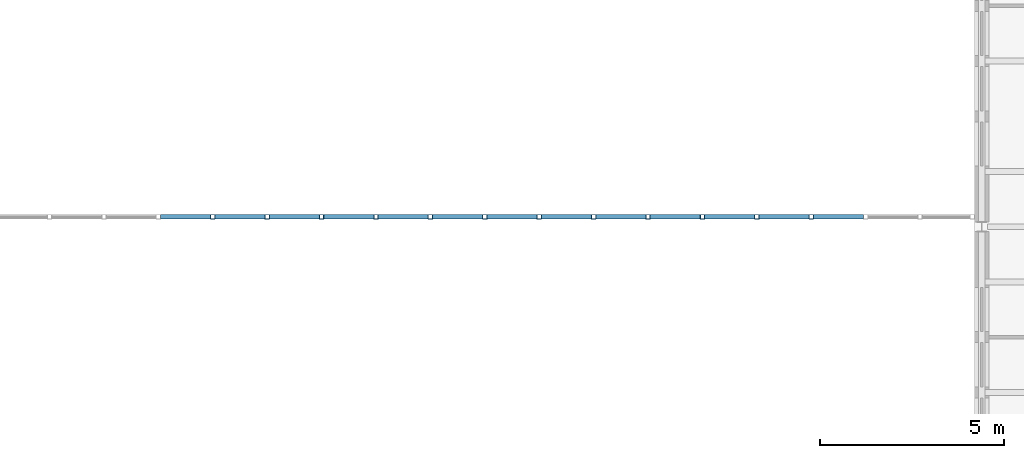
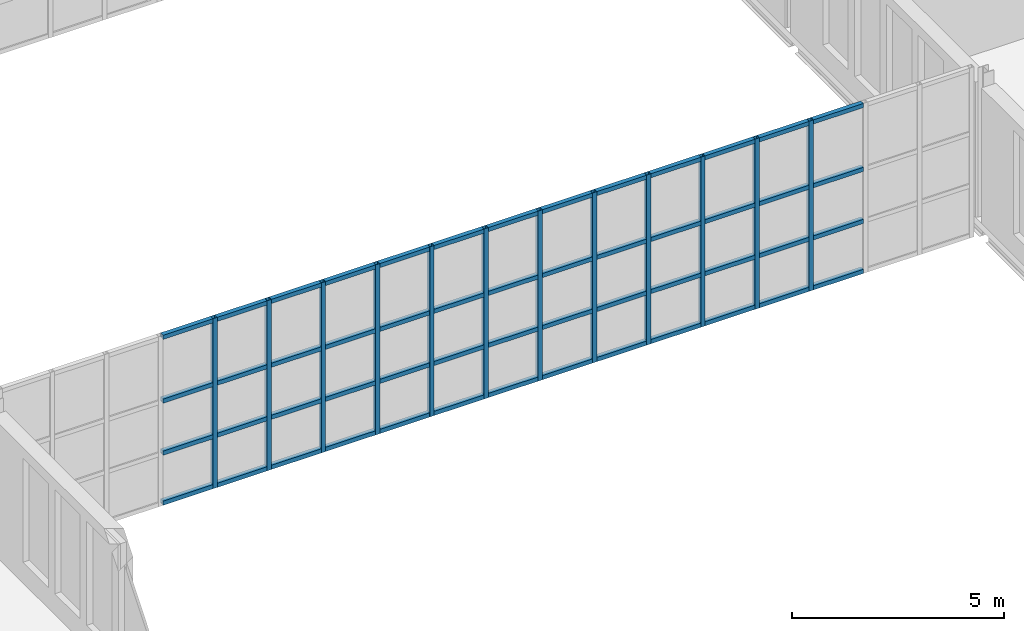
# One storey, part 33 of 134: 64 members, 1 element without a shape of its own.
"""IFC4 building model written with IfcOpenShell, lengths in metres."""

import ifcopenshell
import ifcopenshell.guid

model = None  # the IFC model being written
_history = None  # IfcOwnerHistory: only IFC2X3 demands one
_inside = {}  # id of a spatial element -> (the spatial element, [elements in it])
_under = {}  # id of a project, library or spatial element -> (it, [spatial elements below it])
_declared = {}  # id of a project -> (the project, [libraries it declares])
_typed = {}  # id of a type object -> (the type object, [elements of that type])
_made_of = {}  # id of a material, layer set ... -> (it, [elements and type objects made of it])


def new_model(schema):
    """Start an empty IFC model of exactly this schema.

    Asked for "IFC4X3", IfcOpenShell would pick the latest addendum, in which some entities
    have other attributes; the version numbers below select the first issue.
    IFC2X3 requires an IfcOwnerHistory on every rooted entity: one is made here for all.
    """
    global model, _history
    if schema == "IFC4X3":
        model = ifcopenshell.file(schema_version=(4, 3, 0, 0))
    else:
        model = ifcopenshell.file(schema=schema)
    _inside.clear()
    _under.clear()
    _declared.clear()
    _typed.clear()
    _made_of.clear()
    _history = None
    if model.schema == "IFC2X3":
        org = make("IfcOrganization", Name="unknown")
        user = make(
            "IfcPersonAndOrganization",
            ThePerson=make("IfcPerson", FamilyName="unknown"),
            TheOrganization=org,
        )
        app = make(
            "IfcApplication",
            ApplicationDeveloper=org,
            Version="unknown",
            ApplicationFullName="unknown",
            ApplicationIdentifier="unknown",
        )
        _history = make(
            "IfcOwnerHistory",
            OwningUser=user,
            OwningApplication=app,
            ChangeAction="ADDED",
            CreationDate=0,
        )
    return model


def make(cls, **values):
    """One entity of the class cls with the attributes given. An attribute that is None is left unset."""
    return model.create_entity(
        cls, **{name: value for name, value in values.items() if value is not None}
    )


def rooted(cls, **values):
    """An entity with a GlobalId (a new one), such as an element, a storey or a relation."""
    return make(cls, GlobalId=ifcopenshell.guid.new(), OwnerHistory=_history, **values)


def si_unit(unit_type, name, prefix=None):
    """IfcSIUnit, for example si_unit("LENGTHUNIT", "METRE", prefix="MILLI")."""
    return make("IfcSIUnit", UnitType=unit_type, Prefix=prefix, Name=name)


def assignment(units):
    """IfcUnitAssignment: the units of a project."""
    return None if units is None else make("IfcUnitAssignment", Units=units)


def point(xyz):
    """IfcCartesianPoint."""
    return None if xyz is None else make("IfcCartesianPoint", Coordinates=xyz)


def direction(xyz):
    """IfcDirection."""
    return None if xyz is None else make("IfcDirection", DirectionRatios=xyz)


def frame(location, z_axis=None, x_axis=None):
    """IfcAxis2Placement3D, a coordinate frame: its origin and axes. An axis left out is left unset."""
    return make(
        "IfcAxis2Placement3D",
        Location=point(location),
        Axis=direction(z_axis),
        RefDirection=direction(x_axis),
    )


def frame_2d(location, x_axis=None):
    """IfcAxis2Placement2D, a coordinate frame in the plane: its origin and x axis."""
    return make(
        "IfcAxis2Placement2D", Location=point(location), RefDirection=direction(x_axis)
    )


def origin():
    """The frame at (0, 0, 0) with its axes left unset."""
    return frame((0.0, 0.0, 0.0))


def origin_2d():
    """The frame at (0, 0) in the plane with its x axis left unset."""
    return frame_2d((0.0, 0.0))


def place(relative_to, where):
    """IfcLocalPlacement: puts the frame where relative to a parent placement (None: the world)."""
    return make(
        "IfcLocalPlacement", PlacementRelTo=relative_to, RelativePlacement=where
    )


def context(
    kind, dimensions, precision=None, world=None, true_north=None, identifier=None
):
    """IfcGeometricRepresentationContext, for example the 3D "Model" context."""
    return make(
        "IfcGeometricRepresentationContext",
        ContextIdentifier=identifier,
        ContextType=kind,
        CoordinateSpaceDimension=dimensions,
        Precision=precision,
        WorldCoordinateSystem=world,
        TrueNorth=true_north,
    )


def subcontext(parent, identifier, kind, view, scale=None):
    """IfcGeometricRepresentationSubContext, for example "Body" below "Model"."""
    return make(
        "IfcGeometricRepresentationSubContext",
        ContextIdentifier=identifier,
        ContextType=kind,
        ParentContext=parent,
        TargetScale=scale,
        TargetView=view,
    )


def project(units=None, contexts=None):
    """IfcProject with its units and contexts."""
    return rooted(
        "IfcProject",
        Name="project",
        RepresentationContexts=contexts,
        UnitsInContext=assignment(units),
    )


def spatial(cls, under=None, at=None, **own):
    """A site, building, storey or space (cls), placed at a placement, below another one or the project."""
    s = rooted(cls, ObjectPlacement=at, **own)
    if under is not None:
        _under.setdefault(under.id(), (under, []))[1].append(s)
    return s


def profile(cls, at=None, kind="AREA", **sizes):
    """A parametric profile (cls). Its sizes go by their IFC names, for example OverallWidth=200.0."""
    return make(cls, ProfileType=kind, Position=at, **sizes)


def hollow_rectangle(**sizes):
    """IfcRectangleHollowProfileDef."""
    return profile("IfcRectangleHollowProfileDef", **sizes)


def extrude(swept, where, along, depth):
    """IfcExtrudedAreaSolid: the profile swept, set in the frame where, extruded along a direction by depth."""
    return make(
        "IfcExtrudedAreaSolid",
        SweptArea=swept,
        Position=where,
        ExtrudedDirection=direction(along),
        Depth=depth,
    )


def shape(context_of_items, identifier, shape_type, items):
    """IfcShapeRepresentation: the items that make up one representation, for example the "Body"."""
    return make(
        "IfcShapeRepresentation",
        ContextOfItems=context_of_items,
        RepresentationIdentifier=identifier,
        RepresentationType=shape_type,
        Items=items,
    )


def material(Name=None, Category=None):
    """IfcMaterial."""
    return make("IfcMaterial", Name=Name, Category=Category)


def material_profile(
    of_material, cross_section, Name=None, Category=None, Priority=None
):
    """IfcMaterialProfile: a cross section and its material."""
    return make(
        "IfcMaterialProfile",
        Name=Name,
        Material=of_material,
        Profile=cross_section,
        Priority=Priority,
        Category=Category,
    )


def profile_set(profiles, Name=None, composite=None):
    """IfcMaterialProfileSet."""
    return make(
        "IfcMaterialProfileSet",
        Name=Name,
        MaterialProfiles=profiles,
        CompositeProfile=composite,
    )


def made_of(thing, what):
    """Note that an element or type object is made of a material, layer set ...; save() writes the relation."""
    if what is not None:
        _made_of.setdefault(what.id(), (what, []))[1].append(thing)
    return thing


def type_object(cls, material=None, **own):
    """A type object (cls), such as IfcWallType, which elements share."""
    return made_of(rooted(cls, **own), material)


def element(
    cls,
    number,
    at=None,
    inside=None,
    cuts=None,
    type_object=None,
    material=None,
    context=None,
    identifier="Body",
    shape_type=None,
    held_by="IfcProductDefinitionShape",
    body=None,
    shapes=None,
    **own,
):
    """One element of the class cls, such as IfcWall. Its Tag is "e" and its number.

    at: its placement. inside: the storey or other place that contains it. cuts: it is an
    opening in that element (IfcRelVoidsElement). A single representation is given by context,
    identifier, shape_type and body (its items); several are given by shapes. held_by: the class
    of the entity that holds the representations. save() writes the other relations.
    """
    e = rooted(cls, Tag="e%d" % number, ObjectPlacement=at, **own)
    if body is not None:
        shapes = [shape(context, identifier, shape_type, body)]
    if shapes is not None:
        e.Representation = make(held_by, Representations=shapes)
    if inside is not None:
        _inside.setdefault(inside.id(), (inside, []))[1].append(e)
    if cuts is not None:
        rooted(
            "IfcRelVoidsElement", RelatingBuildingElement=cuts, RelatedOpeningElement=e
        )
    if type_object is not None:
        _typed.setdefault(type_object.id(), (type_object, []))[1].append(e)
    return made_of(e, material)


def aggregate(whole, parts):
    """IfcRelAggregates: a whole, such as a stair, and the parts it consists of."""
    return rooted("IfcRelAggregates", RelatingObject=whole, RelatedObjects=parts)


def save(model, path):
    """Write the relations noted so far, then the file.

    IfcRelAggregates (storeys below a building ...), IfcRelContainedInSpatialStructure (elements
    in a storey), IfcRelDefinesByType, IfcRelAssociatesMaterial and IfcRelDeclares: one each for
    every whole, place, type object, material and project.
    """
    for whole, parts in _under.values():
        aggregate(whole, parts)
    for where, things in _inside.values():
        rooted(
            "IfcRelContainedInSpatialStructure",
            RelatedElements=things,
            RelatingStructure=where,
        )
    for kind, things in _typed.values():
        rooted("IfcRelDefinesByType", RelatedObjects=things, RelatingType=kind)
    for what, things in _made_of.values():
        rooted("IfcRelAssociatesMaterial", RelatedObjects=things, RelatingMaterial=what)
    for by, libraries in _declared.values():
        rooted("IfcRelDeclares", RelatingContext=by, RelatedDefinitions=libraries)
    model.write(path)


model = new_model("IFC4")

# Units and contexts
model_context = context("Model", 3, precision=1e-05, world=origin(), true_north=direction((0.0, 1.0)))
body_context = subcontext(model_context, "Body", "Model", "MODEL_VIEW")
ifc_project = project(units=[si_unit("LENGTHUNIT", "METRE"), si_unit("AREAUNIT", "SQUARE_METRE"), si_unit("VOLUMEUNIT", "CUBIC_METRE"), si_unit("PLANEANGLEUNIT", "RADIAN"), si_unit("MASSUNIT", "GRAM", prefix="KILO")], contexts=[model_context])

# Site, building, storey
site_placement = place(None, origin())
site = spatial("IfcSite", under=ifc_project, at=site_placement, CompositionType="ELEMENT")
building_placement = place(site_placement, origin())
building = spatial("IfcBuilding", under=site, at=building_placement, Name="Golden Quay Civic Hall", CompositionType="ELEMENT")
storey_placement = place(building_placement, frame((0.0, 0.0, 5.39990234375)))
storey = spatial("IfcBuildingStorey", under=building, at=storey_placement, Name="L01", CompositionType="ELEMENT", Elevation=5.39990234375)

# Curtain wall, members
ifc_material_1 = material(Name="Fire-resisting glass and steel", Category="steel")
curtain_wall_type = type_object("IfcCurtainWallType", Name="Fire-resisting glazed curtain wall EI 120", PredefinedType="NOTDEFINED", material=ifc_material_1)
curtain_wall_placement = place(storey_placement, origin())
curtain_wall = element("IfcCurtainWall", 1, at=curtain_wall_placement, inside=storey, type_object=curtain_wall_type, Name="CW3 curtain wall", PredefinedType="NOTDEFINED")
ifc_material_2 = material(Name="Steel S355", Category="steel")
ifc_material_profile_1 = material_profile(ifc_material_2, hollow_rectangle(XDim=0.1201171875, YDim=0.1201171875, WallThickness=0.008056640625, at=origin_2d()), Name="SHS 120x120x8")
ifc_profile_set_1 = profile_set([ifc_material_profile_1], Name="Steel S355")
member_type_1 = type_object("IfcMemberType", Name="Fire-resisting steel mullion SHS 120x120x8", PredefinedType="MULLION", material=ifc_profile_set_1)
member_1_placement = place(storey_placement, frame((78.111083984375, 36.27001953125, -0.599853515625), z_axis=(0.0, 0.0, 1.0), x_axis=(0.0, 1.0, 0.0)))
member_1 = element("IfcMember", 2, at=member_1_placement, type_object=member_type_1, Name="CW3 mullion 5", PredefinedType="MULLION", context=body_context, shape_type="SweptSolid", body=[
    extrude(hollow_rectangle(XDim=0.1201171875, YDim=0.1201171875, WallThickness=0.008056640625, at=origin_2d()), origin(), (0.0, 0.0, 1.0), 4.89990234375),
])
member_2_placement = place(storey_placement, frame((79.5888671875, 36.27001953125, -0.599853515625), z_axis=(0.0, 0.0, 1.0), x_axis=(0.0, 1.0, 0.0)))
member_2 = element("IfcMember", 3, at=member_2_placement, type_object=member_type_1, Name="CW3 mullion 6", PredefinedType="MULLION", context=body_context, shape_type="SweptSolid", body=[
    extrude(hollow_rectangle(XDim=0.1201171875, YDim=0.1201171875, WallThickness=0.008056640625, at=origin_2d()), origin(), (0.0, 0.0, 1.0), 4.89990234375),
])
member_3_placement = place(storey_placement, frame((81.066650390625, 36.27001953125, -0.599853515625), z_axis=(0.0, 0.0, 1.0), x_axis=(0.0, 1.0, 0.0)))
member_3 = element("IfcMember", 4, at=member_3_placement, type_object=member_type_1, Name="CW3 mullion 7", PredefinedType="MULLION", context=body_context, shape_type="SweptSolid", body=[
    extrude(hollow_rectangle(XDim=0.1201171875, YDim=0.1201171875, WallThickness=0.008056640625, at=origin_2d()), origin(), (0.0, 0.0, 1.0), 4.89990234375),
])
member_4_placement = place(storey_placement, frame((82.54443359375, 36.27001953125, -0.599853515625), z_axis=(0.0, 0.0, 1.0), x_axis=(0.0, 1.0, 0.0)))
member_4 = element("IfcMember", 5, at=member_4_placement, type_object=member_type_1, Name="CW3 mullion 8", PredefinedType="MULLION", context=body_context, shape_type="SweptSolid", body=[
    extrude(hollow_rectangle(XDim=0.1201171875, YDim=0.1201171875, WallThickness=0.008056640625, at=origin_2d()), origin(), (0.0, 0.0, 1.0), 4.89990234375),
])
member_5_placement = place(storey_placement, frame((84.022216796875, 36.27001953125, -0.599853515625), z_axis=(0.0, 0.0, 1.0), x_axis=(0.0, 1.0, 0.0)))
member_5 = element("IfcMember", 6, at=member_5_placement, type_object=member_type_1, Name="CW3 mullion 9", PredefinedType="MULLION", context=body_context, shape_type="SweptSolid", body=[
    extrude(hollow_rectangle(XDim=0.1201171875, YDim=0.1201171875, WallThickness=0.008056640625, at=origin_2d()), origin(), (0.0, 0.0, 1.0), 4.89990234375),
])
member_6_placement = place(storey_placement, frame((85.5, 36.27001953125, -0.599853515625), z_axis=(0.0, 0.0, 1.0), x_axis=(0.0, 1.0, 0.0)))
member_6 = element("IfcMember", 7, at=member_6_placement, type_object=member_type_1, Name="CW3 mullion 10", PredefinedType="MULLION", context=body_context, shape_type="SweptSolid", body=[
    extrude(hollow_rectangle(XDim=0.1201171875, YDim=0.1201171875, WallThickness=0.008056640625, at=origin_2d()), origin(), (0.0, 0.0, 1.0), 4.89990234375),
])
member_7_placement = place(storey_placement, frame((86.977783203125, 36.27001953125, -0.599853515625), z_axis=(0.0, 0.0, 1.0), x_axis=(0.0, 1.0, 0.0)))
member_7 = element("IfcMember", 8, at=member_7_placement, type_object=member_type_1, Name="CW3 mullion 11", PredefinedType="MULLION", context=body_context, shape_type="SweptSolid", body=[
    extrude(hollow_rectangle(XDim=0.1201171875, YDim=0.1201171875, WallThickness=0.008056640625, at=origin_2d()), origin(), (0.0, 0.0, 1.0), 4.89990234375),
])
member_8_placement = place(storey_placement, frame((88.45556640625, 36.27001953125, -0.599853515625), z_axis=(0.0, 0.0, 1.0), x_axis=(0.0, 1.0, 0.0)))
member_8 = element("IfcMember", 9, at=member_8_placement, type_object=member_type_1, Name="CW3 mullion 12", PredefinedType="MULLION", context=body_context, shape_type="SweptSolid", body=[
    extrude(hollow_rectangle(XDim=0.1201171875, YDim=0.1201171875, WallThickness=0.008056640625, at=origin_2d()), origin(), (0.0, 0.0, 1.0), 4.89990234375),
])
member_9_placement = place(storey_placement, frame((89.933349609375, 36.27001953125, -0.599853515625), z_axis=(0.0, 0.0, 1.0), x_axis=(0.0, 1.0, 0.0)))
member_9 = element("IfcMember", 10, at=member_9_placement, type_object=member_type_1, Name="CW3 mullion 13", PredefinedType="MULLION", context=body_context, shape_type="SweptSolid", body=[
    extrude(hollow_rectangle(XDim=0.1201171875, YDim=0.1201171875, WallThickness=0.008056640625, at=origin_2d()), origin(), (0.0, 0.0, 1.0), 4.89990234375),
])
member_10_placement = place(storey_placement, frame((91.4111328125, 36.27001953125, -0.599853515625), z_axis=(0.0, 0.0, 1.0), x_axis=(0.0, 1.0, 0.0)))
member_10 = element("IfcMember", 11, at=member_10_placement, type_object=member_type_1, Name="CW3 mullion 14", PredefinedType="MULLION", context=body_context, shape_type="SweptSolid", body=[
    extrude(hollow_rectangle(XDim=0.1201171875, YDim=0.1201171875, WallThickness=0.008056640625, at=origin_2d()), origin(), (0.0, 0.0, 1.0), 4.89990234375),
])
member_11_placement = place(storey_placement, frame((92.888916015625, 36.27001953125, -0.599853515625), z_axis=(0.0, 0.0, 1.0), x_axis=(0.0, 1.0, 0.0)))
member_11 = element("IfcMember", 12, at=member_11_placement, type_object=member_type_1, Name="CW3 mullion 15", PredefinedType="MULLION", context=body_context, shape_type="SweptSolid", body=[
    extrude(hollow_rectangle(XDim=0.1201171875, YDim=0.1201171875, WallThickness=0.008056640625, at=origin_2d()), origin(), (0.0, 0.0, 1.0), 4.89990234375),
])
member_12_placement = place(storey_placement, frame((94.36669921875, 36.27001953125, -0.599853515625), z_axis=(0.0, 0.0, 1.0), x_axis=(0.0, 1.0, 0.0)))
member_12 = element("IfcMember", 13, at=member_12_placement, type_object=member_type_1, Name="CW3 mullion 16", PredefinedType="MULLION", context=body_context, shape_type="SweptSolid", body=[
    extrude(hollow_rectangle(XDim=0.1201171875, YDim=0.1201171875, WallThickness=0.008056640625, at=origin_2d()), origin(), (0.0, 0.0, 1.0), 4.89990234375),
])
ifc_material_3 = material(Name="Steel S355", Category="steel")
ifc_material_profile_2 = material_profile(ifc_material_3, hollow_rectangle(XDim=0.1201171875, YDim=0.1201171875, WallThickness=0.008056640625, at=origin_2d()), Name="SHS 120x120x8")
ifc_profile_set_2 = profile_set([ifc_material_profile_2], Name="Steel S355")
member_type_2 = type_object("IfcMemberType", Name="Fire-resisting steel transom SHS 120x120x8", PredefinedType="USERDEFINED", material=ifc_profile_set_2)
member_13_placement = place(storey_placement, frame((76.693359375, 36.27001953125, -0.539794921875), z_axis=(1.0, 0.0, 0.0), x_axis=(0.0, 1.0, 0.0)))
member_13 = element("IfcMember", 14, at=member_13_placement, type_object=member_type_2, Name="CW3 transom 4.1", ObjectType="TRANSOM", PredefinedType="USERDEFINED", context=body_context, shape_type="SweptSolid", body=[
    extrude(hollow_rectangle(XDim=0.1201171875, YDim=0.1201171875, WallThickness=0.008056640625, at=origin_2d()), origin(), (0.0, 0.0, 1.0), 1.357666015625),
])
member_14_placement = place(storey_placement, frame((76.693359375, 36.27001953125, 0.900146484375), z_axis=(1.0, 0.0, 0.0), x_axis=(0.0, 1.0, 0.0)))
member_14 = element("IfcMember", 15, at=member_14_placement, type_object=member_type_2, Name="CW3 transom 4.2", ObjectType="TRANSOM", PredefinedType="USERDEFINED", context=body_context, shape_type="SweptSolid", body=[
    extrude(hollow_rectangle(XDim=0.1201171875, YDim=0.1201171875, WallThickness=0.008056640625, at=origin_2d()), origin(), (0.0, 0.0, 1.0), 1.357666015625),
])
member_15_placement = place(storey_placement, frame((76.693359375, 36.27001953125, 2.400146484375), z_axis=(1.0, 0.0, 0.0), x_axis=(0.0, 1.0, 0.0)))
member_15 = element("IfcMember", 16, at=member_15_placement, type_object=member_type_2, Name="CW3 transom 4.3", ObjectType="TRANSOM", PredefinedType="USERDEFINED", context=body_context, shape_type="SweptSolid", body=[
    extrude(hollow_rectangle(XDim=0.1201171875, YDim=0.1201171875, WallThickness=0.008056640625, at=origin_2d()), origin(), (0.0, 0.0, 1.0), 1.357666015625),
])
member_16_placement = place(storey_placement, frame((76.693359375, 36.27001953125, 4.239990234375), z_axis=(1.0, 0.0, 0.0), x_axis=(0.0, 1.0, 0.0)))
member_16 = element("IfcMember", 17, at=member_16_placement, type_object=member_type_2, Name="CW3 transom 4.4", ObjectType="TRANSOM", PredefinedType="USERDEFINED", context=body_context, shape_type="SweptSolid", body=[
    extrude(hollow_rectangle(XDim=0.1201171875, YDim=0.1201171875, WallThickness=0.008056640625, at=origin_2d()), origin(), (0.0, 0.0, 1.0), 1.357666015625),
])
member_17_placement = place(storey_placement, frame((78.171142578125, 36.27001953125, -0.539794921875), z_axis=(1.0, 0.0, 0.0), x_axis=(0.0, 1.0, 0.0)))
member_17 = element("IfcMember", 18, at=member_17_placement, type_object=member_type_2, Name="CW3 transom 5.1", ObjectType="TRANSOM", PredefinedType="USERDEFINED", context=body_context, shape_type="SweptSolid", body=[
    extrude(hollow_rectangle(XDim=0.1201171875, YDim=0.1201171875, WallThickness=0.008056640625, at=origin_2d()), origin(), (0.0, 0.0, 1.0), 1.357666015625),
])
member_18_placement = place(storey_placement, frame((78.171142578125, 36.27001953125, 0.900146484375), z_axis=(1.0, 0.0, 0.0), x_axis=(0.0, 1.0, 0.0)))
member_18 = element("IfcMember", 19, at=member_18_placement, type_object=member_type_2, Name="CW3 transom 5.2", ObjectType="TRANSOM", PredefinedType="USERDEFINED", context=body_context, shape_type="SweptSolid", body=[
    extrude(hollow_rectangle(XDim=0.1201171875, YDim=0.1201171875, WallThickness=0.008056640625, at=origin_2d()), origin(), (0.0, 0.0, 1.0), 1.357666015625),
])
member_19_placement = place(storey_placement, frame((78.171142578125, 36.27001953125, 2.400146484375), z_axis=(1.0, 0.0, 0.0), x_axis=(0.0, 1.0, 0.0)))
member_19 = element("IfcMember", 20, at=member_19_placement, type_object=member_type_2, Name="CW3 transom 5.3", ObjectType="TRANSOM", PredefinedType="USERDEFINED", context=body_context, shape_type="SweptSolid", body=[
    extrude(hollow_rectangle(XDim=0.1201171875, YDim=0.1201171875, WallThickness=0.008056640625, at=origin_2d()), origin(), (0.0, 0.0, 1.0), 1.357666015625),
])
member_20_placement = place(storey_placement, frame((78.171142578125, 36.27001953125, 4.239990234375), z_axis=(1.0, 0.0, 0.0), x_axis=(0.0, 1.0, 0.0)))
member_20 = element("IfcMember", 21, at=member_20_placement, type_object=member_type_2, Name="CW3 transom 5.4", ObjectType="TRANSOM", PredefinedType="USERDEFINED", context=body_context, shape_type="SweptSolid", body=[
    extrude(hollow_rectangle(XDim=0.1201171875, YDim=0.1201171875, WallThickness=0.008056640625, at=origin_2d()), origin(), (0.0, 0.0, 1.0), 1.357666015625),
])
member_21_placement = place(storey_placement, frame((79.64892578125, 36.27001953125, -0.539794921875), z_axis=(1.0, 0.0, 0.0), x_axis=(0.0, 1.0, 0.0)))
member_21 = element("IfcMember", 22, at=member_21_placement, type_object=member_type_2, Name="CW3 transom 6.1", ObjectType="TRANSOM", PredefinedType="USERDEFINED", context=body_context, shape_type="SweptSolid", body=[
    extrude(hollow_rectangle(XDim=0.1201171875, YDim=0.1201171875, WallThickness=0.008056640625, at=origin_2d()), origin(), (0.0, 0.0, 1.0), 1.357666015625),
])
member_22_placement = place(storey_placement, frame((79.64892578125, 36.27001953125, 0.900146484375), z_axis=(1.0, 0.0, 0.0), x_axis=(0.0, 1.0, 0.0)))
member_22 = element("IfcMember", 23, at=member_22_placement, type_object=member_type_2, Name="CW3 transom 6.2", ObjectType="TRANSOM", PredefinedType="USERDEFINED", context=body_context, shape_type="SweptSolid", body=[
    extrude(hollow_rectangle(XDim=0.1201171875, YDim=0.1201171875, WallThickness=0.008056640625, at=origin_2d()), origin(), (0.0, 0.0, 1.0), 1.357666015625),
])
member_23_placement = place(storey_placement, frame((79.64892578125, 36.27001953125, 2.400146484375), z_axis=(1.0, 0.0, 0.0), x_axis=(0.0, 1.0, 0.0)))
member_23 = element("IfcMember", 24, at=member_23_placement, type_object=member_type_2, Name="CW3 transom 6.3", ObjectType="TRANSOM", PredefinedType="USERDEFINED", context=body_context, shape_type="SweptSolid", body=[
    extrude(hollow_rectangle(XDim=0.1201171875, YDim=0.1201171875, WallThickness=0.008056640625, at=origin_2d()), origin(), (0.0, 0.0, 1.0), 1.357666015625),
])
member_24_placement = place(storey_placement, frame((79.64892578125, 36.27001953125, 4.239990234375), z_axis=(1.0, 0.0, 0.0), x_axis=(0.0, 1.0, 0.0)))
member_24 = element("IfcMember", 25, at=member_24_placement, type_object=member_type_2, Name="CW3 transom 6.4", ObjectType="TRANSOM", PredefinedType="USERDEFINED", context=body_context, shape_type="SweptSolid", body=[
    extrude(hollow_rectangle(XDim=0.1201171875, YDim=0.1201171875, WallThickness=0.008056640625, at=origin_2d()), origin(), (0.0, 0.0, 1.0), 1.357666015625),
])
member_25_placement = place(storey_placement, frame((81.126708984375, 36.27001953125, -0.539794921875), z_axis=(1.0, 0.0, 0.0), x_axis=(0.0, 1.0, 0.0)))
member_25 = element("IfcMember", 26, at=member_25_placement, type_object=member_type_2, Name="CW3 transom 7.1", ObjectType="TRANSOM", PredefinedType="USERDEFINED", context=body_context, shape_type="SweptSolid", body=[
    extrude(hollow_rectangle(XDim=0.1201171875, YDim=0.1201171875, WallThickness=0.008056640625, at=origin_2d()), origin(), (0.0, 0.0, 1.0), 1.357666015625),
])
member_26_placement = place(storey_placement, frame((81.126708984375, 36.27001953125, 0.900146484375), z_axis=(1.0, 0.0, 0.0), x_axis=(0.0, 1.0, 0.0)))
member_26 = element("IfcMember", 27, at=member_26_placement, type_object=member_type_2, Name="CW3 transom 7.2", ObjectType="TRANSOM", PredefinedType="USERDEFINED", context=body_context, shape_type="SweptSolid", body=[
    extrude(hollow_rectangle(XDim=0.1201171875, YDim=0.1201171875, WallThickness=0.008056640625, at=origin_2d()), origin(), (0.0, 0.0, 1.0), 1.357666015625),
])
member_27_placement = place(storey_placement, frame((81.126708984375, 36.27001953125, 2.400146484375), z_axis=(1.0, 0.0, 0.0), x_axis=(0.0, 1.0, 0.0)))
member_27 = element("IfcMember", 28, at=member_27_placement, type_object=member_type_2, Name="CW3 transom 7.3", ObjectType="TRANSOM", PredefinedType="USERDEFINED", context=body_context, shape_type="SweptSolid", body=[
    extrude(hollow_rectangle(XDim=0.1201171875, YDim=0.1201171875, WallThickness=0.008056640625, at=origin_2d()), origin(), (0.0, 0.0, 1.0), 1.357666015625),
])
member_28_placement = place(storey_placement, frame((81.126708984375, 36.27001953125, 4.239990234375), z_axis=(1.0, 0.0, 0.0), x_axis=(0.0, 1.0, 0.0)))
member_28 = element("IfcMember", 29, at=member_28_placement, type_object=member_type_2, Name="CW3 transom 7.4", ObjectType="TRANSOM", PredefinedType="USERDEFINED", context=body_context, shape_type="SweptSolid", body=[
    extrude(hollow_rectangle(XDim=0.1201171875, YDim=0.1201171875, WallThickness=0.008056640625, at=origin_2d()), origin(), (0.0, 0.0, 1.0), 1.357666015625),
])
member_29_placement = place(storey_placement, frame((82.6044921875, 36.27001953125, -0.539794921875), z_axis=(1.0, 0.0, 0.0), x_axis=(0.0, 1.0, 0.0)))
member_29 = element("IfcMember", 30, at=member_29_placement, type_object=member_type_2, Name="CW3 transom 8.1", ObjectType="TRANSOM", PredefinedType="USERDEFINED", context=body_context, shape_type="SweptSolid", body=[
    extrude(hollow_rectangle(XDim=0.1201171875, YDim=0.1201171875, WallThickness=0.008056640625, at=origin_2d()), origin(), (0.0, 0.0, 1.0), 1.357666015625),
])
member_30_placement = place(storey_placement, frame((82.6044921875, 36.27001953125, 0.900146484375), z_axis=(1.0, 0.0, 0.0), x_axis=(0.0, 1.0, 0.0)))
member_30 = element("IfcMember", 31, at=member_30_placement, type_object=member_type_2, Name="CW3 transom 8.2", ObjectType="TRANSOM", PredefinedType="USERDEFINED", context=body_context, shape_type="SweptSolid", body=[
    extrude(hollow_rectangle(XDim=0.1201171875, YDim=0.1201171875, WallThickness=0.008056640625, at=origin_2d()), origin(), (0.0, 0.0, 1.0), 1.357666015625),
])
member_31_placement = place(storey_placement, frame((82.6044921875, 36.27001953125, 2.400146484375), z_axis=(1.0, 0.0, 0.0), x_axis=(0.0, 1.0, 0.0)))
member_31 = element("IfcMember", 32, at=member_31_placement, type_object=member_type_2, Name="CW3 transom 8.3", ObjectType="TRANSOM", PredefinedType="USERDEFINED", context=body_context, shape_type="SweptSolid", body=[
    extrude(hollow_rectangle(XDim=0.1201171875, YDim=0.1201171875, WallThickness=0.008056640625, at=origin_2d()), origin(), (0.0, 0.0, 1.0), 1.357666015625),
])
member_32_placement = place(storey_placement, frame((82.6044921875, 36.27001953125, 4.239990234375), z_axis=(1.0, 0.0, 0.0), x_axis=(0.0, 1.0, 0.0)))
member_32 = element("IfcMember", 33, at=member_32_placement, type_object=member_type_2, Name="CW3 transom 8.4", ObjectType="TRANSOM", PredefinedType="USERDEFINED", context=body_context, shape_type="SweptSolid", body=[
    extrude(hollow_rectangle(XDim=0.1201171875, YDim=0.1201171875, WallThickness=0.008056640625, at=origin_2d()), origin(), (0.0, 0.0, 1.0), 1.357666015625),
])
member_33_placement = place(storey_placement, frame((84.082275390625, 36.27001953125, -0.539794921875), z_axis=(1.0, 0.0, 0.0), x_axis=(0.0, 1.0, 0.0)))
member_33 = element("IfcMember", 34, at=member_33_placement, type_object=member_type_2, Name="CW3 transom 9.1", ObjectType="TRANSOM", PredefinedType="USERDEFINED", context=body_context, shape_type="SweptSolid", body=[
    extrude(hollow_rectangle(XDim=0.1201171875, YDim=0.1201171875, WallThickness=0.008056640625, at=origin_2d()), origin(), (0.0, 0.0, 1.0), 1.357666015625),
])
member_34_placement = place(storey_placement, frame((84.082275390625, 36.27001953125, 0.900146484375), z_axis=(1.0, 0.0, 0.0), x_axis=(0.0, 1.0, 0.0)))
member_34 = element("IfcMember", 35, at=member_34_placement, type_object=member_type_2, Name="CW3 transom 9.2", ObjectType="TRANSOM", PredefinedType="USERDEFINED", context=body_context, shape_type="SweptSolid", body=[
    extrude(hollow_rectangle(XDim=0.1201171875, YDim=0.1201171875, WallThickness=0.008056640625, at=origin_2d()), origin(), (0.0, 0.0, 1.0), 1.357666015625),
])
member_35_placement = place(storey_placement, frame((84.082275390625, 36.27001953125, 2.400146484375), z_axis=(1.0, 0.0, 0.0), x_axis=(0.0, 1.0, 0.0)))
member_35 = element("IfcMember", 36, at=member_35_placement, type_object=member_type_2, Name="CW3 transom 9.3", ObjectType="TRANSOM", PredefinedType="USERDEFINED", context=body_context, shape_type="SweptSolid", body=[
    extrude(hollow_rectangle(XDim=0.1201171875, YDim=0.1201171875, WallThickness=0.008056640625, at=origin_2d()), origin(), (0.0, 0.0, 1.0), 1.357666015625),
])
member_36_placement = place(storey_placement, frame((84.082275390625, 36.27001953125, 4.239990234375), z_axis=(1.0, 0.0, 0.0), x_axis=(0.0, 1.0, 0.0)))
member_36 = element("IfcMember", 37, at=member_36_placement, type_object=member_type_2, Name="CW3 transom 9.4", ObjectType="TRANSOM", PredefinedType="USERDEFINED", context=body_context, shape_type="SweptSolid", body=[
    extrude(hollow_rectangle(XDim=0.1201171875, YDim=0.1201171875, WallThickness=0.008056640625, at=origin_2d()), origin(), (0.0, 0.0, 1.0), 1.357666015625),
])
member_37_placement = place(storey_placement, frame((85.56005859375, 36.27001953125, -0.539794921875), z_axis=(1.0, 0.0, 0.0), x_axis=(0.0, 1.0, 0.0)))
member_37 = element("IfcMember", 38, at=member_37_placement, type_object=member_type_2, Name="CW3 transom 10.1", ObjectType="TRANSOM", PredefinedType="USERDEFINED", context=body_context, shape_type="SweptSolid", body=[
    extrude(hollow_rectangle(XDim=0.1201171875, YDim=0.1201171875, WallThickness=0.008056640625, at=origin_2d()), origin(), (0.0, 0.0, 1.0), 1.357666015625),
])
member_38_placement = place(storey_placement, frame((85.56005859375, 36.27001953125, 0.900146484375), z_axis=(1.0, 0.0, 0.0), x_axis=(0.0, 1.0, 0.0)))
member_38 = element("IfcMember", 39, at=member_38_placement, type_object=member_type_2, Name="CW3 transom 10.2", ObjectType="TRANSOM", PredefinedType="USERDEFINED", context=body_context, shape_type="SweptSolid", body=[
    extrude(hollow_rectangle(XDim=0.1201171875, YDim=0.1201171875, WallThickness=0.008056640625, at=origin_2d()), origin(), (0.0, 0.0, 1.0), 1.357666015625),
])
member_39_placement = place(storey_placement, frame((85.56005859375, 36.27001953125, 2.400146484375), z_axis=(1.0, 0.0, 0.0), x_axis=(0.0, 1.0, 0.0)))
member_39 = element("IfcMember", 40, at=member_39_placement, type_object=member_type_2, Name="CW3 transom 10.3", ObjectType="TRANSOM", PredefinedType="USERDEFINED", context=body_context, shape_type="SweptSolid", body=[
    extrude(hollow_rectangle(XDim=0.1201171875, YDim=0.1201171875, WallThickness=0.008056640625, at=origin_2d()), origin(), (0.0, 0.0, 1.0), 1.357666015625),
])
member_40_placement = place(storey_placement, frame((85.56005859375, 36.27001953125, 4.239990234375), z_axis=(1.0, 0.0, 0.0), x_axis=(0.0, 1.0, 0.0)))
member_40 = element("IfcMember", 41, at=member_40_placement, type_object=member_type_2, Name="CW3 transom 10.4", ObjectType="TRANSOM", PredefinedType="USERDEFINED", context=body_context, shape_type="SweptSolid", body=[
    extrude(hollow_rectangle(XDim=0.1201171875, YDim=0.1201171875, WallThickness=0.008056640625, at=origin_2d()), origin(), (0.0, 0.0, 1.0), 1.357666015625),
])
member_41_placement = place(storey_placement, frame((87.037841796875, 36.27001953125, -0.539794921875), z_axis=(1.0, 0.0, 0.0), x_axis=(0.0, 1.0, 0.0)))
member_41 = element("IfcMember", 42, at=member_41_placement, type_object=member_type_2, Name="CW3 transom 11.1", ObjectType="TRANSOM", PredefinedType="USERDEFINED", context=body_context, shape_type="SweptSolid", body=[
    extrude(hollow_rectangle(XDim=0.1201171875, YDim=0.1201171875, WallThickness=0.008056640625, at=origin_2d()), origin(), (0.0, 0.0, 1.0), 1.357666015625),
])
member_42_placement = place(storey_placement, frame((87.037841796875, 36.27001953125, 0.900146484375), z_axis=(1.0, 0.0, 0.0), x_axis=(0.0, 1.0, 0.0)))
member_42 = element("IfcMember", 43, at=member_42_placement, type_object=member_type_2, Name="CW3 transom 11.2", ObjectType="TRANSOM", PredefinedType="USERDEFINED", context=body_context, shape_type="SweptSolid", body=[
    extrude(hollow_rectangle(XDim=0.1201171875, YDim=0.1201171875, WallThickness=0.008056640625, at=origin_2d()), origin(), (0.0, 0.0, 1.0), 1.357666015625),
])
member_43_placement = place(storey_placement, frame((87.037841796875, 36.27001953125, 2.400146484375), z_axis=(1.0, 0.0, 0.0), x_axis=(0.0, 1.0, 0.0)))
member_43 = element("IfcMember", 44, at=member_43_placement, type_object=member_type_2, Name="CW3 transom 11.3", ObjectType="TRANSOM", PredefinedType="USERDEFINED", context=body_context, shape_type="SweptSolid", body=[
    extrude(hollow_rectangle(XDim=0.1201171875, YDim=0.1201171875, WallThickness=0.008056640625, at=origin_2d()), origin(), (0.0, 0.0, 1.0), 1.357666015625),
])
member_44_placement = place(storey_placement, frame((87.037841796875, 36.27001953125, 4.239990234375), z_axis=(1.0, 0.0, 0.0), x_axis=(0.0, 1.0, 0.0)))
member_44 = element("IfcMember", 45, at=member_44_placement, type_object=member_type_2, Name="CW3 transom 11.4", ObjectType="TRANSOM", PredefinedType="USERDEFINED", context=body_context, shape_type="SweptSolid", body=[
    extrude(hollow_rectangle(XDim=0.1201171875, YDim=0.1201171875, WallThickness=0.008056640625, at=origin_2d()), origin(), (0.0, 0.0, 1.0), 1.357666015625),
])
member_45_placement = place(storey_placement, frame((88.515625, 36.27001953125, -0.539794921875), z_axis=(1.0, 0.0, 0.0), x_axis=(0.0, 1.0, 0.0)))
member_45 = element("IfcMember", 46, at=member_45_placement, type_object=member_type_2, Name="CW3 transom 12.1", ObjectType="TRANSOM", PredefinedType="USERDEFINED", context=body_context, shape_type="SweptSolid", body=[
    extrude(hollow_rectangle(XDim=0.1201171875, YDim=0.1201171875, WallThickness=0.008056640625, at=origin_2d()), origin(), (0.0, 0.0, 1.0), 1.357666015625),
])
member_46_placement = place(storey_placement, frame((88.515625, 36.27001953125, 0.900146484375), z_axis=(1.0, 0.0, 0.0), x_axis=(0.0, 1.0, 0.0)))
member_46 = element("IfcMember", 47, at=member_46_placement, type_object=member_type_2, Name="CW3 transom 12.2", ObjectType="TRANSOM", PredefinedType="USERDEFINED", context=body_context, shape_type="SweptSolid", body=[
    extrude(hollow_rectangle(XDim=0.1201171875, YDim=0.1201171875, WallThickness=0.008056640625, at=origin_2d()), origin(), (0.0, 0.0, 1.0), 1.357666015625),
])
member_47_placement = place(storey_placement, frame((88.515625, 36.27001953125, 2.400146484375), z_axis=(1.0, 0.0, 0.0), x_axis=(0.0, 1.0, 0.0)))
member_47 = element("IfcMember", 48, at=member_47_placement, type_object=member_type_2, Name="CW3 transom 12.3", ObjectType="TRANSOM", PredefinedType="USERDEFINED", context=body_context, shape_type="SweptSolid", body=[
    extrude(hollow_rectangle(XDim=0.1201171875, YDim=0.1201171875, WallThickness=0.008056640625, at=origin_2d()), origin(), (0.0, 0.0, 1.0), 1.357666015625),
])
member_48_placement = place(storey_placement, frame((88.515625, 36.27001953125, 4.239990234375), z_axis=(1.0, 0.0, 0.0), x_axis=(0.0, 1.0, 0.0)))
member_48 = element("IfcMember", 49, at=member_48_placement, type_object=member_type_2, Name="CW3 transom 12.4", ObjectType="TRANSOM", PredefinedType="USERDEFINED", context=body_context, shape_type="SweptSolid", body=[
    extrude(hollow_rectangle(XDim=0.1201171875, YDim=0.1201171875, WallThickness=0.008056640625, at=origin_2d()), origin(), (0.0, 0.0, 1.0), 1.357666015625),
])
member_49_placement = place(storey_placement, frame((89.993408203125, 36.27001953125, -0.539794921875), z_axis=(1.0, 0.0, 0.0), x_axis=(0.0, 1.0, 0.0)))
member_49 = element("IfcMember", 50, at=member_49_placement, type_object=member_type_2, Name="CW3 transom 13.1", ObjectType="TRANSOM", PredefinedType="USERDEFINED", context=body_context, shape_type="SweptSolid", body=[
    extrude(hollow_rectangle(XDim=0.1201171875, YDim=0.1201171875, WallThickness=0.008056640625, at=origin_2d()), origin(), (0.0, 0.0, 1.0), 1.357666015625),
])
member_50_placement = place(storey_placement, frame((89.993408203125, 36.27001953125, 0.900146484375), z_axis=(1.0, 0.0, 0.0), x_axis=(0.0, 1.0, 0.0)))
member_50 = element("IfcMember", 51, at=member_50_placement, type_object=member_type_2, Name="CW3 transom 13.2", ObjectType="TRANSOM", PredefinedType="USERDEFINED", context=body_context, shape_type="SweptSolid", body=[
    extrude(hollow_rectangle(XDim=0.1201171875, YDim=0.1201171875, WallThickness=0.008056640625, at=origin_2d()), origin(), (0.0, 0.0, 1.0), 1.357666015625),
])
member_51_placement = place(storey_placement, frame((89.993408203125, 36.27001953125, 2.400146484375), z_axis=(1.0, 0.0, 0.0), x_axis=(0.0, 1.0, 0.0)))
member_51 = element("IfcMember", 52, at=member_51_placement, type_object=member_type_2, Name="CW3 transom 13.3", ObjectType="TRANSOM", PredefinedType="USERDEFINED", context=body_context, shape_type="SweptSolid", body=[
    extrude(hollow_rectangle(XDim=0.1201171875, YDim=0.1201171875, WallThickness=0.008056640625, at=origin_2d()), origin(), (0.0, 0.0, 1.0), 1.357666015625),
])
member_52_placement = place(storey_placement, frame((89.993408203125, 36.27001953125, 4.239990234375), z_axis=(1.0, 0.0, 0.0), x_axis=(0.0, 1.0, 0.0)))
member_52 = element("IfcMember", 53, at=member_52_placement, type_object=member_type_2, Name="CW3 transom 13.4", ObjectType="TRANSOM", PredefinedType="USERDEFINED", context=body_context, shape_type="SweptSolid", body=[
    extrude(hollow_rectangle(XDim=0.1201171875, YDim=0.1201171875, WallThickness=0.008056640625, at=origin_2d()), origin(), (0.0, 0.0, 1.0), 1.357666015625),
])
member_53_placement = place(storey_placement, frame((91.47119140625, 36.27001953125, -0.539794921875), z_axis=(1.0, 0.0, 0.0), x_axis=(0.0, 1.0, 0.0)))
member_53 = element("IfcMember", 54, at=member_53_placement, type_object=member_type_2, Name="CW3 transom 14.1", ObjectType="TRANSOM", PredefinedType="USERDEFINED", context=body_context, shape_type="SweptSolid", body=[
    extrude(hollow_rectangle(XDim=0.1201171875, YDim=0.1201171875, WallThickness=0.008056640625, at=origin_2d()), origin(), (0.0, 0.0, 1.0), 1.357666015625),
])
member_54_placement = place(storey_placement, frame((91.47119140625, 36.27001953125, 0.900146484375), z_axis=(1.0, 0.0, 0.0), x_axis=(0.0, 1.0, 0.0)))
member_54 = element("IfcMember", 55, at=member_54_placement, type_object=member_type_2, Name="CW3 transom 14.2", ObjectType="TRANSOM", PredefinedType="USERDEFINED", context=body_context, shape_type="SweptSolid", body=[
    extrude(hollow_rectangle(XDim=0.1201171875, YDim=0.1201171875, WallThickness=0.008056640625, at=origin_2d()), origin(), (0.0, 0.0, 1.0), 1.357666015625),
])
member_55_placement = place(storey_placement, frame((91.47119140625, 36.27001953125, 2.400146484375), z_axis=(1.0, 0.0, 0.0), x_axis=(0.0, 1.0, 0.0)))
member_55 = element("IfcMember", 56, at=member_55_placement, type_object=member_type_2, Name="CW3 transom 14.3", ObjectType="TRANSOM", PredefinedType="USERDEFINED", context=body_context, shape_type="SweptSolid", body=[
    extrude(hollow_rectangle(XDim=0.1201171875, YDim=0.1201171875, WallThickness=0.008056640625, at=origin_2d()), origin(), (0.0, 0.0, 1.0), 1.357666015625),
])
member_56_placement = place(storey_placement, frame((91.47119140625, 36.27001953125, 4.239990234375), z_axis=(1.0, 0.0, 0.0), x_axis=(0.0, 1.0, 0.0)))
member_56 = element("IfcMember", 57, at=member_56_placement, type_object=member_type_2, Name="CW3 transom 14.4", ObjectType="TRANSOM", PredefinedType="USERDEFINED", context=body_context, shape_type="SweptSolid", body=[
    extrude(hollow_rectangle(XDim=0.1201171875, YDim=0.1201171875, WallThickness=0.008056640625, at=origin_2d()), origin(), (0.0, 0.0, 1.0), 1.357666015625),
])
member_57_placement = place(storey_placement, frame((92.948974609375, 36.27001953125, -0.539794921875), z_axis=(1.0, 0.0, 0.0), x_axis=(0.0, 1.0, 0.0)))
member_57 = element("IfcMember", 58, at=member_57_placement, type_object=member_type_2, Name="CW3 transom 15.1", ObjectType="TRANSOM", PredefinedType="USERDEFINED", context=body_context, shape_type="SweptSolid", body=[
    extrude(hollow_rectangle(XDim=0.1201171875, YDim=0.1201171875, WallThickness=0.008056640625, at=origin_2d()), origin(), (0.0, 0.0, 1.0), 1.357666015625),
])
member_58_placement = place(storey_placement, frame((92.948974609375, 36.27001953125, 0.900146484375), z_axis=(1.0, 0.0, 0.0), x_axis=(0.0, 1.0, 0.0)))
member_58 = element("IfcMember", 59, at=member_58_placement, type_object=member_type_2, Name="CW3 transom 15.2", ObjectType="TRANSOM", PredefinedType="USERDEFINED", context=body_context, shape_type="SweptSolid", body=[
    extrude(hollow_rectangle(XDim=0.1201171875, YDim=0.1201171875, WallThickness=0.008056640625, at=origin_2d()), origin(), (0.0, 0.0, 1.0), 1.357666015625),
])
member_59_placement = place(storey_placement, frame((92.948974609375, 36.27001953125, 2.400146484375), z_axis=(1.0, 0.0, 0.0), x_axis=(0.0, 1.0, 0.0)))
member_59 = element("IfcMember", 60, at=member_59_placement, type_object=member_type_2, Name="CW3 transom 15.3", ObjectType="TRANSOM", PredefinedType="USERDEFINED", context=body_context, shape_type="SweptSolid", body=[
    extrude(hollow_rectangle(XDim=0.1201171875, YDim=0.1201171875, WallThickness=0.008056640625, at=origin_2d()), origin(), (0.0, 0.0, 1.0), 1.357666015625),
])
member_60_placement = place(storey_placement, frame((92.948974609375, 36.27001953125, 4.239990234375), z_axis=(1.0, 0.0, 0.0), x_axis=(0.0, 1.0, 0.0)))
member_60 = element("IfcMember", 61, at=member_60_placement, type_object=member_type_2, Name="CW3 transom 15.4", ObjectType="TRANSOM", PredefinedType="USERDEFINED", context=body_context, shape_type="SweptSolid", body=[
    extrude(hollow_rectangle(XDim=0.1201171875, YDim=0.1201171875, WallThickness=0.008056640625, at=origin_2d()), origin(), (0.0, 0.0, 1.0), 1.357666015625),
])
member_61_placement = place(storey_placement, frame((94.4267578125, 36.27001953125, -0.539794921875), z_axis=(1.0, 0.0, 0.0), x_axis=(0.0, 1.0, 0.0)))
member_61 = element("IfcMember", 62, at=member_61_placement, type_object=member_type_2, Name="CW3 transom 16.1", ObjectType="TRANSOM", PredefinedType="USERDEFINED", context=body_context, shape_type="SweptSolid", body=[
    extrude(hollow_rectangle(XDim=0.1201171875, YDim=0.1201171875, WallThickness=0.008056640625, at=origin_2d()), origin(), (0.0, 0.0, 1.0), 1.357666015625),
])
member_62_placement = place(storey_placement, frame((94.4267578125, 36.27001953125, 0.900146484375), z_axis=(1.0, 0.0, 0.0), x_axis=(0.0, 1.0, 0.0)))
member_62 = element("IfcMember", 63, at=member_62_placement, type_object=member_type_2, Name="CW3 transom 16.2", ObjectType="TRANSOM", PredefinedType="USERDEFINED", context=body_context, shape_type="SweptSolid", body=[
    extrude(hollow_rectangle(XDim=0.1201171875, YDim=0.1201171875, WallThickness=0.008056640625, at=origin_2d()), origin(), (0.0, 0.0, 1.0), 1.357666015625),
])
member_63_placement = place(storey_placement, frame((94.4267578125, 36.27001953125, 2.400146484375), z_axis=(1.0, 0.0, 0.0), x_axis=(0.0, 1.0, 0.0)))
member_63 = element("IfcMember", 64, at=member_63_placement, type_object=member_type_2, Name="CW3 transom 16.3", ObjectType="TRANSOM", PredefinedType="USERDEFINED", context=body_context, shape_type="SweptSolid", body=[
    extrude(hollow_rectangle(XDim=0.1201171875, YDim=0.1201171875, WallThickness=0.008056640625, at=origin_2d()), origin(), (0.0, 0.0, 1.0), 1.357666015625),
])
member_64_placement = place(storey_placement, frame((94.4267578125, 36.27001953125, 4.239990234375), z_axis=(1.0, 0.0, 0.0), x_axis=(0.0, 1.0, 0.0)))
member_64 = element("IfcMember", 65, at=member_64_placement, type_object=member_type_2, Name="CW3 transom 16.4", ObjectType="TRANSOM", PredefinedType="USERDEFINED", context=body_context, shape_type="SweptSolid", body=[
    extrude(hollow_rectangle(XDim=0.1201171875, YDim=0.1201171875, WallThickness=0.008056640625, at=origin_2d()), origin(), (0.0, 0.0, 1.0), 1.357666015625),
])
aggregate(curtain_wall, [member_1, member_2, member_3, member_4, member_5, member_6, member_7, member_8, member_9, member_10, member_11, member_12, member_13, member_14, member_15, member_16, member_17, member_18, member_19, member_20, member_21, member_22, member_23, member_24, member_25, member_26, member_27, member_28, member_29, member_30, member_31, member_32, member_33, member_34, member_35, member_36, member_37, member_38, member_39, member_40, member_41, member_42, member_43, member_44, member_45, member_46, member_47, member_48, member_49, member_50, member_51, member_52, member_53, member_54, member_55, member_56, member_57, member_58, member_59, member_60, member_61, member_62, member_63, member_64])

save(model, "model.ifc")
